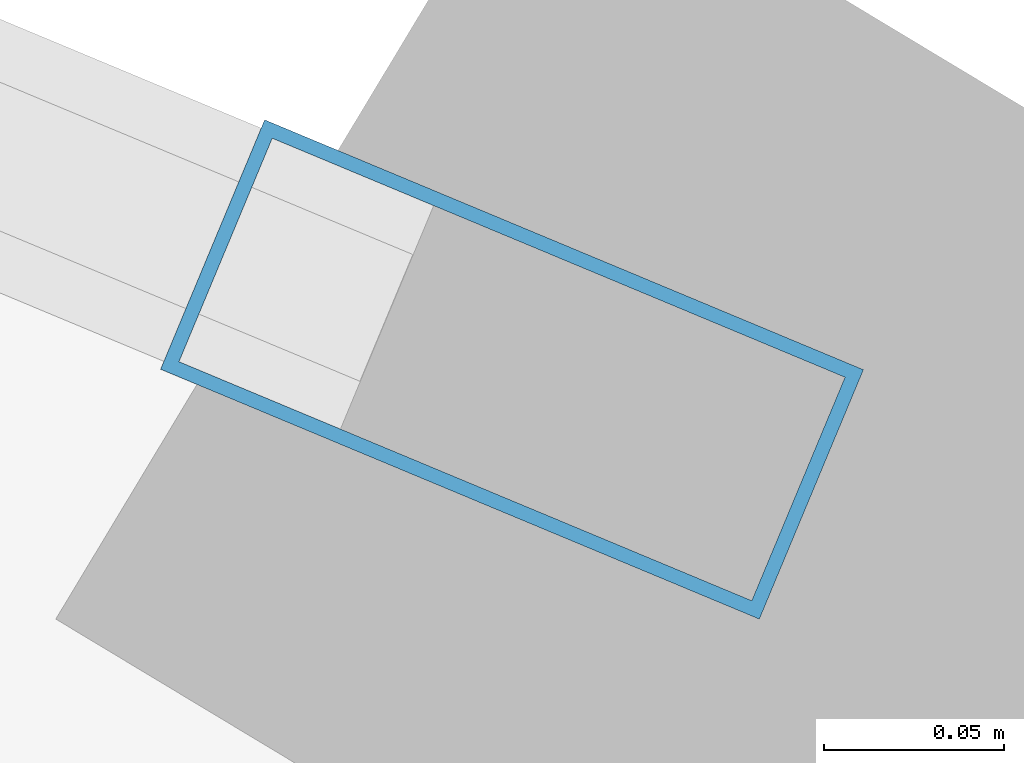
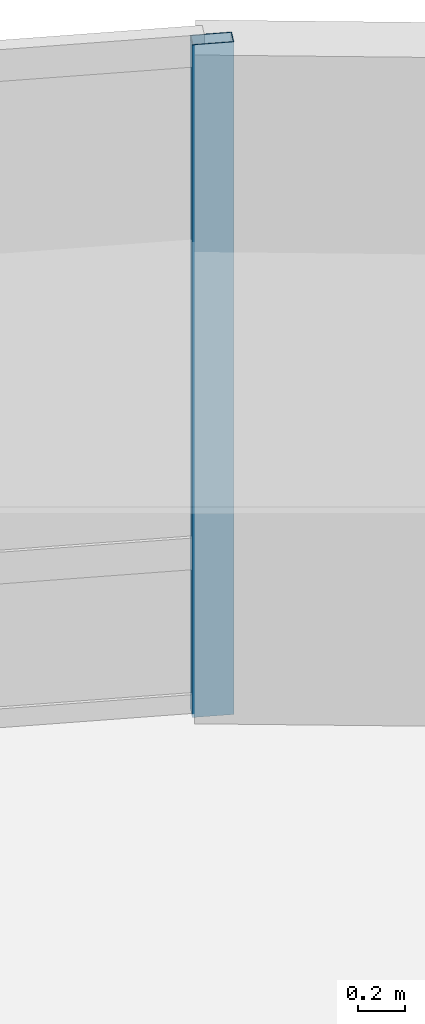
# One storey, part 12 of 18: 1 member, 1 element without a shape of its own.
"""IFC4 building model written with IfcOpenShell, lengths in metres."""

from ifc_helpers import new_model, si_unit, direction, frame, origin, origin_2d, place, context, subcontext, project, spatial, hollow_rectangle, extrude, material, layer, layer_set, material_profile, profile_set, type_object, element, aggregate, save


model = new_model("IFC4")

# Units and contexts
model_context = context("Model", 3, precision=1e-05, world=origin(), true_north=direction((0.0, 1.0)))
body_context = subcontext(model_context, "Body", "Model", "MODEL_VIEW")
ifc_project = project(units=[si_unit("LENGTHUNIT", "METRE"), si_unit("AREAUNIT", "SQUARE_METRE"), si_unit("VOLUMEUNIT", "CUBIC_METRE"), si_unit("PLANEANGLEUNIT", "RADIAN"), si_unit("MASSUNIT", "GRAM", prefix="KILO")], contexts=[model_context])

# Site, building, storey
site_placement = place(None, origin())
site = spatial("IfcSite", under=ifc_project, at=site_placement, CompositionType="ELEMENT")
building_placement = place(site_placement, origin())
building = spatial("IfcBuilding", under=site, at=building_placement, Name="Menara Vayukalpa", CompositionType="ELEMENT")
storey_placement = place(building_placement, frame((0.0, 0.0, 165.47998046875)))
storey = spatial("IfcBuildingStorey", under=building, at=storey_placement, Name="L41", CompositionType="ELEMENT", Elevation=165.47998046875)

# Curtain wall, member
ifc_material_1 = material(Name="Anodised Terracotta Aluminium Alloy 6063-T6", Category="masonry")
ifc_layer = layer(ifc_material_1, 0.179931640625)
ifc_layer_set = layer_set([ifc_layer], Name="Anodised Terracotta Aluminium Alloy 6063-T6")
curtain_wall_type = type_object("IfcCurtainWallType", Name="CW-CW4", PredefinedType="USERDEFINED", material=ifc_layer_set)
curtain_wall_placement = place(storey_placement, origin())
curtain_wall = element("IfcCurtainWall", 1, at=curtain_wall_placement, inside=storey, type_object=curtain_wall_type, Name="L41 Sky Bar Cantilever Glazed Curtain Wall CW4 04", ObjectType="UNITISED", PredefinedType="USERDEFINED")
ifc_material_2 = material(Name="Anodised Terracotta Aluminium Alloy 6063-T6", Category="masonry")
ifc_material_profile = material_profile(ifc_material_2, hollow_rectangle(XDim=0.074951171875, YDim=0.179931640625, WallThickness=0.00390625, at=origin_2d()), Name="ALU 75x180x4")
ifc_profile_set = profile_set([ifc_material_profile], Name="Anodised Terracotta Aluminium Alloy 6063-T6")
member_type = type_object("IfcMemberType", Name="CWM-CW4", PredefinedType="MULLION", material=ifc_profile_set)
member_placement = place(storey_placement, frame((46.20068359375, 29.039794921875, 0.0), z_axis=(0.0, 0.0, 1.0), x_axis=(-0.385091352437, -0.922878459104, 0.0)))
member = element("IfcMember", 2, at=member_placement, type_object=member_type, Name="CW4 mullion 1", PredefinedType="MULLION", context=body_context, shape_type="SweptSolid", body=[
    extrude(hollow_rectangle(XDim=0.074951171875, YDim=0.179931640625, WallThickness=0.00390625, at=origin_2d()), origin(), (0.0, 0.0, 1.0), 3.5),
])
aggregate(curtain_wall, [member])

save(model, "model.ifc")
